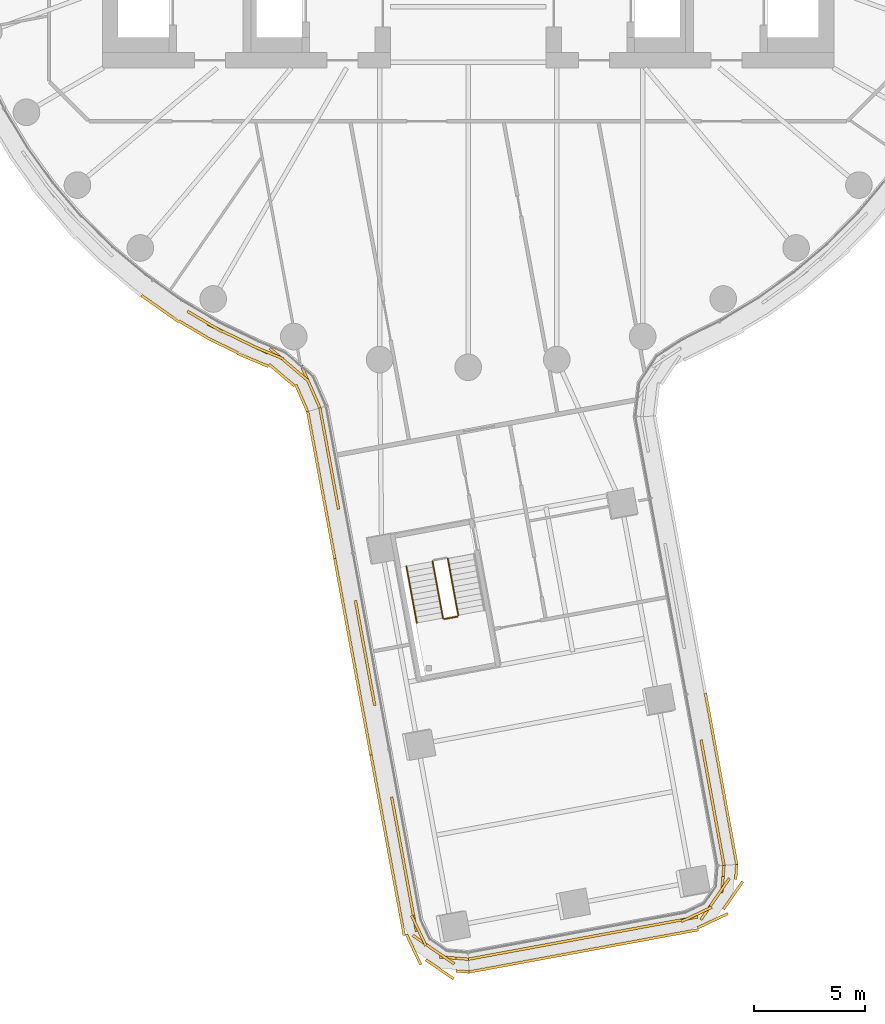
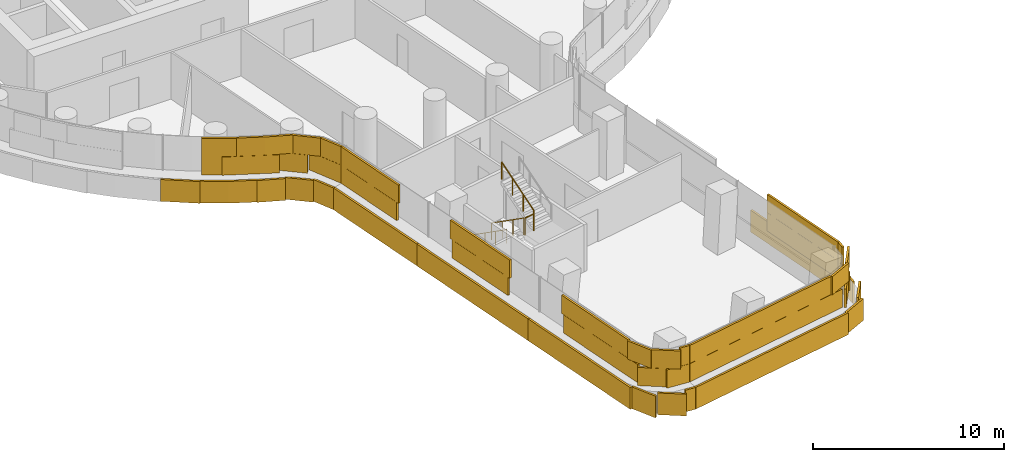
# One storey, part 26 of 33: 6 coverings, 4 railings.
"""IFC4 building model written with IfcOpenShell, lengths in metres."""

from ifc_helpers import new_model, si_unit, direction, frame, origin, origin_2d, place, context, subcontext, project, spatial, rectangle, circle, extrude, material, layer, layer_set, type_object, element, save


model = new_model("IFC4")

# Units and contexts
model_context = context("Model", 3, precision=1e-05, world=origin(), true_north=direction((0.0, 1.0)))
body_context = subcontext(model_context, "Body", "Model", "MODEL_VIEW")
ifc_project = project(units=[si_unit("LENGTHUNIT", "METRE"), si_unit("AREAUNIT", "SQUARE_METRE"), si_unit("VOLUMEUNIT", "CUBIC_METRE"), si_unit("PLANEANGLEUNIT", "RADIAN"), si_unit("MASSUNIT", "GRAM", prefix="KILO")], contexts=[model_context])

# Site, building, storey
site_placement = place(None, origin())
site = spatial("IfcSite", under=ifc_project, at=site_placement, CompositionType="ELEMENT")
building_placement = place(site_placement, origin())
building = spatial("IfcBuilding", under=site, at=building_placement, Name="Tamarind Cross Interchange Tower", CompositionType="ELEMENT")
storey_placement = place(building_placement, frame((0.0, 0.0, 71.5)))
storey = spatial("IfcBuildingStorey", under=building, at=storey_placement, Name="L16", CompositionType="ELEMENT", Elevation=71.5)

# Railings
ifc_material_1 = material(Name="Stair guard")
railing_type_1 = type_object("IfcRailingType", Name="Stair guard", PredefinedType="GUARDRAIL", material=ifc_material_1)
railing_1_placement = place(storey_placement, frame((-1.60791015625, -31.75341796875, 0.17041015625)))
element("IfcRailing", 1, at=railing_1_placement, inside=storey, type_object=railing_type_1, Name="L16 ST6 stair guard 1", PredefinedType="GUARDRAIL", context=body_context, shape_type="SweptSolid", body=[
    extrude(circle(Radius=0.02392578125, at=origin_2d()), frame((0.0, 0.0, 1.076171875), z_axis=(0.151638442794, -0.822428488544, 0.54828565903), x_axis=(0.983423678231, 0.181322555396, 0.0)), (0.0, 0.0, 1.0), 3.10888671875),
    extrude(circle(Radius=0.02099609375, at=origin_2d()), origin(), (0.0, 0.0, 1.0), 1.052001953125),
    extrude(circle(Radius=0.02099609375, at=origin_2d()), frame((0.1572265625, -0.852294921875, 0.568115234375)), (0.0, 0.0, 1.0), 1.052001953125),
    extrude(circle(Radius=0.02099609375, at=origin_2d()), frame((0.314208984375, -1.70458984375, 1.136474609375)), (0.0, 0.0, 1.0), 1.052001953125),
    extrude(circle(Radius=0.02099609375, at=origin_2d()), frame((0.471435546875, -2.556884765625, 1.70458984375)), (0.0, 0.0, 1.0), 1.052001953125),
])
railing_2_placement = place(storey_placement, frame((-1.078125, -34.350341796875, 1.875)))
element("IfcRailing", 2, at=railing_2_placement, inside=storey, type_object=railing_type_1, Name="L16 ST6 stair guard 2", PredefinedType="GUARDRAIL", context=body_context, shape_type="SweptSolid", body=[
    extrude(circle(Radius=0.02392578125, at=origin_2d()), frame((0.0, 0.0, 1.076171875), z_axis=(0.983384416229, 0.181535368228, 0.0), x_axis=(-0.181535368228, 0.983384416229, 0.0)), (0.0, 0.0, 1.0), 0.599853515625),
    extrude(circle(Radius=0.02099609375, at=origin_2d()), origin(), (0.0, 0.0, 1.0), 1.052001953125),
    extrude(circle(Radius=0.02099609375, at=origin_2d()), frame((0.58984375, 0.10888671875, 0.0)), (0.0, 0.0, 1.0), 1.052001953125),
])
railing_3_placement = place(storey_placement, frame((-0.447998046875, -34.183349609375, 2.04541015625)))
element("IfcRailing", 3, at=railing_3_placement, inside=storey, type_object=railing_type_1, Name="L16 ST6 stair guard 3", PredefinedType="GUARDRAIL", context=body_context, shape_type="SweptSolid", body=[
    extrude(circle(Radius=0.02392578125, at=origin_2d()), frame((0.0, 0.0, 1.076171875), z_axis=(-0.151715164176, 0.822418692761, 0.548279128507), x_axis=(-0.983406930214, -0.181413366674, 0.0)), (0.0, 0.0, 1.0), 3.10888671875),
    extrude(circle(Radius=0.02099609375, at=origin_2d()), origin(), (0.0, 0.0, 1.0), 1.052001953125),
    extrude(circle(Radius=0.02099609375, at=origin_2d()), frame((-0.1572265625, 0.852294921875, 0.568115234375)), (0.0, 0.0, 1.0), 1.052001953125),
    extrude(circle(Radius=0.02099609375, at=origin_2d()), frame((-0.314453125, 1.70458984375, 1.136474609375)), (0.0, 0.0, 1.0), 1.052001953125),
    extrude(circle(Radius=0.02099609375, at=origin_2d()), frame((-0.4716796875, 2.556884765625, 1.70458984375)), (0.0, 0.0, 1.0), 1.052001953125),
])
ifc_material_2 = material(Name="Stair handrail")
railing_type_2 = type_object("IfcRailingType", Name="Stair handrail", PredefinedType="HANDRAIL", material=ifc_material_2)
railing_4_placement = place(storey_placement, frame((-2.7880859375, -31.970947265625, 0.17041015625)))
element("IfcRailing", 4, at=railing_4_placement, inside=storey, type_object=railing_type_2, Name="L16 ST6 stair handrail 1", PredefinedType="HANDRAIL", context=body_context, shape_type="SweptSolid", body=[
    extrude(circle(Radius=0.02392578125, at=origin_2d()), frame((0.0, 0.0, 0.8759765625), z_axis=(0.151638442794, -0.822428488544, 0.54828565903), x_axis=(0.983423678231, 0.181322555396, 0.0)), (0.0, 0.0, 1.0), 3.10888671875),
    extrude(circle(Radius=0.02099609375, at=origin_2d()), origin(), (0.0, 0.0, 1.0), 0.851806640625),
    extrude(circle(Radius=0.02099609375, at=origin_2d()), frame((0.1572265625, -0.852294921875, 0.568115234375)), (0.0, 0.0, 1.0), 0.851806640625),
    extrude(circle(Radius=0.02099609375, at=origin_2d()), frame((0.314208984375, -1.70458984375, 1.136474609375)), (0.0, 0.0, 1.0), 0.851806640625),
    extrude(circle(Radius=0.02099609375, at=origin_2d()), frame((0.471435546875, -2.556884765625, 1.70458984375)), (0.0, 0.0, 1.0), 0.851806640625),
])

# Coverings
ifc_material_3 = material(Name="Terracotta", Category="masonry")
ifc_layer = layer(ifc_material_3, 0.1201171875)
ifc_layer_set = layer_set([ifc_layer], Name="Terracotta")
covering_type = type_object("IfcCoveringType", Name="Terracotta baguette screen unit", PredefinedType="MOLDING", material=ifc_layer_set)
covering_1_placement = place(storey_placement, origin())
element("IfcCovering", 5, at=covering_1_placement, inside=storey, type_object=covering_type, Name="SCR-L16-02-01", PredefinedType="MOLDING", context=body_context, shape_type="SweptSolid", body=[
    extrude(rectangle(XDim=1.078125, YDim=0.1201171875, at=origin_2d()), frame((-12.1962890625, -20.74609375, 1.404052734375), z_axis=(0.0, 0.0, 1.0), x_axis=(0.861248933065, -0.508183308752, 0.0)), (0.0, 0.0, 1.0), 1.1669921875),
    extrude(rectangle(XDim=1.52001953125, YDim=0.1201171875, at=origin_2d()), frame((-11.07763671875, -21.374755859375, 1.404052734375), z_axis=(0.0, 0.0, 1.0), x_axis=(0.900272776334, -0.435326231914, 0.0)), (0.0, 0.0, 1.0), 1.1669921875),
    extrude(rectangle(XDim=1.52001953125, YDim=0.1201171875, at=origin_2d()), frame((-9.72705078125, -22.02783203125, 1.404052734375), z_axis=(0.0, 0.0, 1.0), x_axis=(0.900272776334, -0.435326231914, 0.0)), (0.0, 0.0, 1.0), 1.1669921875),
    extrude(rectangle(XDim=1.52001953125, YDim=0.1201171875, at=origin_2d()), frame((-8.361572265625, -22.638671875, 1.404052734375), z_axis=(0.0, 0.0, 1.0), x_axis=(0.762599582374, -0.646870834837, 0.0)), (0.0, 0.0, 1.0), 1.1669921875),
    extrude(rectangle(XDim=1.52001953125, YDim=0.1201171875, at=origin_2d()), frame((-7.22216796875, -23.612548828125, 1.404052734375), z_axis=(0.0, 0.0, 1.0), x_axis=(0.401557003304, -0.915834031415, 0.0)), (0.0, 0.0, 1.0), 1.1669921875),
    extrude(rectangle(XDim=0.59228515625, YDim=0.1201171875, at=origin_2d()), frame((-6.80419921875, -24.56591796875, 1.404052734375), z_axis=(0.0, 0.0, 1.0), x_axis=(0.401557003304, -0.915834031415, 0.0)), (0.0, 0.0, 1.0), 1.1669921875),
    extrude(rectangle(XDim=0.328125, YDim=0.1201171875, at=origin_2d()), frame((-12.519287109375, -20.555419921875, 2.5791015625), z_axis=(0.0, 0.0, 1.0), x_axis=(0.861248933065, -0.508183308752, 0.0)), (0.0, 0.0, 1.0), 1.1669921875),
    extrude(rectangle(XDim=1.52001953125, YDim=0.1201171875, at=origin_2d()), frame((-11.736328125, -21.017578125, 2.5791015625), z_axis=(0.0, 0.0, 1.0), x_axis=(0.861248933065, -0.508183308752, 0.0)), (0.0, 0.0, 1.0), 1.1669921875),
    extrude(rectangle(XDim=1.52001953125, YDim=0.1201171875, at=origin_2d()), frame((-10.40234375, -21.701171875, 2.5791015625), z_axis=(0.0, 0.0, 1.0), x_axis=(0.900272776334, -0.435326231914, 0.0)), (0.0, 0.0, 1.0), 1.1669921875),
    extrude(rectangle(XDim=1.52001953125, YDim=0.1201171875, at=origin_2d()), frame((-9.0390625, -22.32568359375, 2.5791015625), z_axis=(0.0, 0.0, 1.0), x_axis=(0.922083651498, -0.386990619576, 0.0)), (0.0, 0.0, 1.0), 1.1669921875),
    extrude(rectangle(XDim=1.52001953125, YDim=0.1201171875, at=origin_2d()), frame((-7.78955078125, -23.123779296875, 2.5791015625), z_axis=(0.0, 0.0, 1.0), x_axis=(0.762599582374, -0.646870834837, 0.0)), (0.0, 0.0, 1.0), 1.1669921875),
    extrude(rectangle(XDim=1.34228515625, YDim=0.1201171875, at=origin_2d()), frame((-6.95458984375, -24.222412109375, 2.5791015625), z_axis=(0.0, 0.0, 1.0), x_axis=(0.401557003304, -0.915834031415, 0.0)), (0.0, 0.0, 1.0), 1.1669921875),
    extrude(rectangle(XDim=0.57275390625, YDim=0.1201171875, at=origin_2d()), frame((-14.50244140625, -19.922119140625, 0.00390625), z_axis=(0.0, 0.0, 1.0), x_axis=(0.816341886298, -0.577568978284, 0.0)), (0.0, 0.0, 1.0), 1.39208984375),
    extrude(rectangle(XDim=1.52001953125, YDim=0.1201171875, at=origin_2d()), frame((-13.66455078125, -20.514892578125, 0.00390625), z_axis=(0.0, 0.0, 1.0), x_axis=(0.816341886298, -0.577568978284, 0.0)), (0.0, 0.0, 1.0), 1.39208984375),
    extrude(rectangle(XDim=1.52001953125, YDim=0.1201171875, at=origin_2d()), frame((-12.38720703125, -21.2998046875, 0.00390625), z_axis=(0.0, 0.0, 1.0), x_axis=(0.861248933065, -0.508183308752, 0.0)), (0.0, 0.0, 1.0), 1.39208984375),
    extrude(rectangle(XDim=1.52001953125, YDim=0.1201171875, at=origin_2d()), frame((-11.070556640625, -22.015625, 0.00390625), z_axis=(0.0, 0.0, 1.0), x_axis=(0.900272776334, -0.435326231914, 0.0)), (0.0, 0.0, 1.0), 1.39208984375),
    extrude(rectangle(XDim=1.52001953125, YDim=0.1201171875, at=origin_2d()), frame((-9.7177734375, -22.66357421875, 0.00390625), z_axis=(0.0, 0.0, 1.0), x_axis=(0.922083651498, -0.386990619576, 0.0)), (0.0, 0.0, 1.0), 1.39208984375),
    extrude(rectangle(XDim=1.52001953125, YDim=0.1201171875, at=origin_2d()), frame((-8.4033203125, -23.35595703125, 0.00390625), z_axis=(0.0, 0.0, 1.0), x_axis=(0.762599582374, -0.646870834837, 0.0)), (0.0, 0.0, 1.0), 1.39208984375),
    extrude(rectangle(XDim=1.32861328125, YDim=0.1201171875, at=origin_2d()), frame((-7.50634765625, -24.393798828125, 0.00390625), z_axis=(0.0, 0.0, 1.0), x_axis=(0.401557003304, -0.915834031415, 0.0)), (0.0, 0.0, 1.0), 1.39208984375),
])
covering_2_placement = place(storey_placement, origin())
element("IfcCovering", 6, at=covering_2_placement, inside=storey, type_object=covering_type, Name="SCR-L16-03-00", PredefinedType="MOLDING", context=body_context, shape_type="SweptSolid", body=[
    extrude(rectangle(XDim=1.510009765625, YDim=0.1201171875, at=origin_2d()), frame((-6.55126953125, -25.570068359375, 1.404052734375), z_axis=(0.0, 0.0, 1.0), x_axis=(0.181343076715, -0.983419894311, 0.0)), (0.0, 0.0, 1.0), 1.1669921875),
    extrude(rectangle(XDim=1.52001953125, YDim=0.1201171875, at=origin_2d()), frame((-6.279296875, -27.045166015625, 1.404052734375), z_axis=(0.0, 0.0, 1.0), x_axis=(0.181343076715, -0.983419894311, 0.0)), (0.0, 0.0, 1.0), 1.1669921875),
    extrude(rectangle(XDim=1.52001953125, YDim=0.1201171875, at=origin_2d()), frame((-6.007080078125, -28.5205078125, 1.404052734375), z_axis=(0.0, 0.0, 1.0), x_axis=(0.181343076715, -0.983419894311, 0.0)), (0.0, 0.0, 1.0), 1.1669921875),
    extrude(rectangle(XDim=0.760009765625, YDim=0.1201171875, at=origin_2d()), frame((-6.619140625, -25.201416015625, 2.5791015625), z_axis=(0.0, 0.0, 1.0), x_axis=(0.181343076715, -0.983419894311, 0.0)), (0.0, 0.0, 1.0), 1.1669921875),
    extrude(rectangle(XDim=1.52001953125, YDim=0.1201171875, at=origin_2d()), frame((-6.415283203125, -26.3076171875, 2.5791015625), z_axis=(0.0, 0.0, 1.0), x_axis=(0.181343076715, -0.983419894311, 0.0)), (0.0, 0.0, 1.0), 1.1669921875),
    extrude(rectangle(XDim=1.52001953125, YDim=0.1201171875, at=origin_2d()), frame((-6.14306640625, -27.782958984375, 2.5791015625), z_axis=(0.0, 0.0, 1.0), x_axis=(0.181343076715, -0.983419894311, 0.0)), (0.0, 0.0, 1.0), 1.1669921875),
    extrude(rectangle(XDim=0.89794921875, YDim=0.1201171875, at=origin_2d()), frame((-5.9267578125, -28.95703125, 2.5791015625), z_axis=(0.0, 0.0, 1.0), x_axis=(0.181343076715, -0.983419894311, 0.0)), (0.0, 0.0, 1.0), 1.1669921875),
    extrude(rectangle(XDim=1.510009765625, YDim=0.1201171875, at=origin_2d()), frame((-7.102783203125, -25.74462890625, 0.00390625), z_axis=(0.0, 0.0, 1.0), x_axis=(0.181343076715, -0.983419894311, 0.0)), (0.0, 0.0, 1.0), 1.39208984375),
    extrude(rectangle(XDim=1.52001953125, YDim=0.1201171875, at=origin_2d()), frame((-6.83154296875, -27.21484375, 0.00390625), z_axis=(0.0, 0.0, 1.0), x_axis=(0.181343076715, -0.983419894311, 0.0)), (0.0, 0.0, 1.0), 1.39208984375),
    extrude(rectangle(XDim=1.52001953125, YDim=0.1201171875, at=origin_2d()), frame((-6.5595703125, -28.68994140625, 0.00390625), z_axis=(0.0, 0.0, 1.0), x_axis=(0.181343076715, -0.983419894311, 0.0)), (0.0, 0.0, 1.0), 1.39208984375),
    extrude(rectangle(XDim=1.52001953125, YDim=0.1201171875, at=origin_2d()), frame((-6.28759765625, -30.1650390625, 0.00390625), z_axis=(0.0, 0.0, 1.0), x_axis=(0.181343076715, -0.983419894311, 0.0)), (0.0, 0.0, 1.0), 1.39208984375),
    extrude(rectangle(XDim=0.75048828125, YDim=0.1201171875, at=origin_2d()), frame((-6.08544921875, -31.26171875, 0.00390625), z_axis=(0.0, 0.0, 1.0), x_axis=(0.181343076715, -0.983419894311, 0.0)), (0.0, 0.0, 1.0), 1.39208984375),
])
covering_3_placement = place(storey_placement, origin())
element("IfcCovering", 7, at=covering_3_placement, inside=storey, type_object=covering_type, Name="SCR-L16-03-01", PredefinedType="MOLDING", context=body_context, shape_type="SweptSolid", body=[
    extrude(rectangle(XDim=1.52001953125, YDim=0.1201171875, at=origin_2d()), frame((-4.919189453125, -34.4208984375, 1.404052734375), z_axis=(0.0, 0.0, 1.0), x_axis=(0.181343076715, -0.983419894311, 0.0)), (0.0, 0.0, 1.0), 1.1669921875),
    extrude(rectangle(XDim=1.52001953125, YDim=0.1201171875, at=origin_2d()), frame((-4.647216796875, -35.89599609375, 1.404052734375), z_axis=(0.0, 0.0, 1.0), x_axis=(0.181343076715, -0.983419894311, 0.0)), (0.0, 0.0, 1.0), 1.1669921875),
    extrude(rectangle(XDim=1.52001953125, YDim=0.1201171875, at=origin_2d()), frame((-4.375, -37.37109375, 1.404052734375), z_axis=(0.0, 0.0, 1.0), x_axis=(0.181343076715, -0.983419894311, 0.0)), (0.0, 0.0, 1.0), 1.1669921875),
    extrude(rectangle(XDim=0.922119140625, YDim=0.1201171875, at=origin_2d()), frame((-5.001708984375, -33.972412109375, 2.5791015625), z_axis=(0.0, 0.0, 1.0), x_axis=(0.181343076715, -0.983419894311, 0.0)), (0.0, 0.0, 1.0), 1.1669921875),
    extrude(rectangle(XDim=1.52001953125, YDim=0.1201171875, at=origin_2d()), frame((-4.783203125, -35.158447265625, 2.5791015625), z_axis=(0.0, 0.0, 1.0), x_axis=(0.181343076715, -0.983419894311, 0.0)), (0.0, 0.0, 1.0), 1.1669921875),
    extrude(rectangle(XDim=1.52001953125, YDim=0.1201171875, at=origin_2d()), frame((-4.510986328125, -36.633544921875, 2.5791015625), z_axis=(0.0, 0.0, 1.0), x_axis=(0.181343076715, -0.983419894311, 0.0)), (0.0, 0.0, 1.0), 1.1669921875),
    extrude(rectangle(XDim=0.8984375, YDim=0.1201171875, at=origin_2d()), frame((-4.29443359375, -37.80810546875, 2.5791015625), z_axis=(0.0, 0.0, 1.0), x_axis=(0.181343076715, -0.983419894311, 0.0)), (0.0, 0.0, 1.0), 1.1669921875),
    extrude(rectangle(XDim=0.76953125, YDim=0.1201171875, at=origin_2d()), frame((-5.947509765625, -32.00927734375, 0.00390625), z_axis=(0.0, 0.0, 1.0), x_axis=(0.181343076715, -0.983419894311, 0.0)), (0.0, 0.0, 1.0), 1.39208984375),
    extrude(rectangle(XDim=1.52001953125, YDim=0.1201171875, at=origin_2d()), frame((-5.74365234375, -33.115234375, 0.00390625), z_axis=(0.0, 0.0, 1.0), x_axis=(0.181343076715, -0.983419894311, 0.0)), (0.0, 0.0, 1.0), 1.39208984375),
    extrude(rectangle(XDim=1.52001953125, YDim=0.1201171875, at=origin_2d()), frame((-5.471435546875, -34.590576171875, 0.00390625), z_axis=(0.0, 0.0, 1.0), x_axis=(0.181343076715, -0.983419894311, 0.0)), (0.0, 0.0, 1.0), 1.39208984375),
    extrude(rectangle(XDim=1.52001953125, YDim=0.1201171875, at=origin_2d()), frame((-5.199462890625, -36.065673828125, 0.00390625), z_axis=(0.0, 0.0, 1.0), x_axis=(0.181343076715, -0.983419894311, 0.0)), (0.0, 0.0, 1.0), 1.39208984375),
    extrude(rectangle(XDim=1.52001953125, YDim=0.1201171875, at=origin_2d()), frame((-4.927490234375, -37.540771484375, 0.00390625), z_axis=(0.0, 0.0, 1.0), x_axis=(0.181343076715, -0.983419894311, 0.0)), (0.0, 0.0, 1.0), 1.39208984375),
    extrude(rectangle(XDim=1.52001953125, YDim=0.1201171875, at=origin_2d()), frame((-4.655517578125, -39.015869140625, 0.00390625), z_axis=(0.0, 0.0, 1.0), x_axis=(0.181343076715, -0.983419894311, 0.0)), (0.0, 0.0, 1.0), 1.39208984375),
    extrude(rectangle(XDim=0.75439453125, YDim=0.1201171875, at=origin_2d()), frame((-4.452880859375, -40.114501953125, 0.00390625), z_axis=(0.0, 0.0, 1.0), x_axis=(0.181343076715, -0.983419894311, 0.0)), (0.0, 0.0, 1.0), 1.39208984375),
])
covering_4_placement = place(storey_placement, origin())
element("IfcCovering", 8, at=covering_4_placement, inside=storey, type_object=covering_type, Name="SCR-L16-03-02", PredefinedType="MOLDING", context=body_context, shape_type="SweptSolid", body=[
    extrude(rectangle(XDim=1.52001953125, YDim=0.1201171875, at=origin_2d()), frame((-3.287109375, -43.271728515625, 1.404052734375), z_axis=(0.0, 0.0, 1.0), x_axis=(0.181343076715, -0.983419894311, 0.0)), (0.0, 0.0, 1.0), 1.1669921875),
    extrude(rectangle(XDim=1.52001953125, YDim=0.1201171875, at=origin_2d()), frame((-3.014892578125, -44.746826171875, 1.404052734375), z_axis=(0.0, 0.0, 1.0), x_axis=(0.181343076715, -0.983419894311, 0.0)), (0.0, 0.0, 1.0), 1.1669921875),
    extrude(rectangle(XDim=1.52001953125, YDim=0.1201171875, at=origin_2d()), frame((-2.742919921875, -46.221923828125, 1.404052734375), z_axis=(0.0, 0.0, 1.0), x_axis=(0.181343076715, -0.983419894311, 0.0)), (0.0, 0.0, 1.0), 1.1669921875),
    extrude(rectangle(XDim=1.52001953125, YDim=0.1201171875, at=origin_2d()), frame((-2.470947265625, -47.697021484375, 1.404052734375), z_axis=(0.0, 0.0, 1.0), x_axis=(0.181343076715, -0.983419894311, 0.0)), (0.0, 0.0, 1.0), 1.1669921875),
    extrude(rectangle(XDim=1.52001953125, YDim=0.1201171875, at=origin_2d()), frame((-1.8701171875, -49.04541015625, 1.404052734375), z_axis=(0.0, 0.0, 1.0), x_axis=(0.823611795288, -0.567153956755, 0.0)), (0.0, 0.0, 1.0), 1.1669921875),
    extrude(rectangle(XDim=1.31689453125, YDim=0.1201171875, at=origin_2d()), frame((-0.641845703125, -49.6376953125, 1.404052734375), z_axis=(0.0, 0.0, 1.0), x_axis=(0.996845715953, -0.079363836763, 0.0)), (0.0, 0.0, 1.0), 1.1669921875),
    extrude(rectangle(XDim=0.921630859375, YDim=0.1201171875, at=origin_2d()), frame((-3.36962890625, -42.823486328125, 2.5791015625), z_axis=(0.0, 0.0, 1.0), x_axis=(0.181343076715, -0.983419894311, 0.0)), (0.0, 0.0, 1.0), 1.1669921875),
    extrude(rectangle(XDim=1.52001953125, YDim=0.1201171875, at=origin_2d()), frame((-3.151123046875, -44.00927734375, 2.5791015625), z_axis=(0.0, 0.0, 1.0), x_axis=(0.181343076715, -0.983419894311, 0.0)), (0.0, 0.0, 1.0), 1.1669921875),
    extrude(rectangle(XDim=1.52001953125, YDim=0.1201171875, at=origin_2d()), frame((-2.87890625, -45.484375, 2.5791015625), z_axis=(0.0, 0.0, 1.0), x_axis=(0.181343076715, -0.983419894311, 0.0)), (0.0, 0.0, 1.0), 1.1669921875),
    extrude(rectangle(XDim=1.52001953125, YDim=0.1201171875, at=origin_2d()), frame((-2.60693359375, -46.95947265625, 2.5791015625), z_axis=(0.0, 0.0, 1.0), x_axis=(0.181343076715, -0.983419894311, 0.0)), (0.0, 0.0, 1.0), 1.1669921875),
    extrude(rectangle(XDim=1.52001953125, YDim=0.1201171875, at=origin_2d()), frame((-2.23095703125, -48.40087890625, 2.5791015625), z_axis=(0.0, 0.0, 1.0), x_axis=(0.429691759198, -0.902975632051, 0.0)), (0.0, 0.0, 1.0), 1.1669921875),
    extrude(rectangle(XDim=1.52001953125, YDim=0.1201171875, at=origin_2d()), frame((-1.25244140625, -49.470703125, 2.5791015625), z_axis=(0.0, 0.0, 1.0), x_axis=(0.823611795288, -0.567153956755, 0.0)), (0.0, 0.0, 1.0), 1.1669921875),
    extrude(rectangle(XDim=0.56689453125, YDim=0.1201171875, at=origin_2d()), frame((-0.26806640625, -49.66748046875, 2.5791015625), z_axis=(0.0, 0.0, 1.0), x_axis=(0.996845715953, -0.079363836763, 0.0)), (0.0, 0.0, 1.0), 1.1669921875),
    extrude(rectangle(XDim=0.765625, YDim=0.1201171875, at=origin_2d()), frame((-4.31494140625, -40.862060546875, 0.00390625), z_axis=(0.0, 0.0, 1.0), x_axis=(0.181343076715, -0.983419894311, 0.0)), (0.0, 0.0, 1.0), 1.39208984375),
    extrude(rectangle(XDim=1.52001953125, YDim=0.1201171875, at=origin_2d()), frame((-4.111572265625, -41.966064453125, 0.00390625), z_axis=(0.0, 0.0, 1.0), x_axis=(0.181343076715, -0.983419894311, 0.0)), (0.0, 0.0, 1.0), 1.39208984375),
    extrude(rectangle(XDim=1.52001953125, YDim=0.1201171875, at=origin_2d()), frame((-3.83935546875, -43.441162109375, 0.00390625), z_axis=(0.0, 0.0, 1.0), x_axis=(0.181343076715, -0.983419894311, 0.0)), (0.0, 0.0, 1.0), 1.39208984375),
    extrude(rectangle(XDim=1.52001953125, YDim=0.1201171875, at=origin_2d()), frame((-3.5673828125, -44.916259765625, 0.00390625), z_axis=(0.0, 0.0, 1.0), x_axis=(0.181343076715, -0.983419894311, 0.0)), (0.0, 0.0, 1.0), 1.39208984375),
    extrude(rectangle(XDim=1.52001953125, YDim=0.1201171875, at=origin_2d()), frame((-3.29541015625, -46.3916015625, 0.00390625), z_axis=(0.0, 0.0, 1.0), x_axis=(0.181343076715, -0.983419894311, 0.0)), (0.0, 0.0, 1.0), 1.39208984375),
    extrude(rectangle(XDim=1.52001953125, YDim=0.1201171875, at=origin_2d()), frame((-3.0234375, -47.86669921875, 0.00390625), z_axis=(0.0, 0.0, 1.0), x_axis=(0.181343076715, -0.983419894311, 0.0)), (0.0, 0.0, 1.0), 1.39208984375),
    extrude(rectangle(XDim=1.52001953125, YDim=0.1201171875, at=origin_2d()), frame((-2.46337890625, -49.24853515625, 0.00390625), z_axis=(0.0, 0.0, 1.0), x_axis=(0.429691759198, -0.902975632051, 0.0)), (0.0, 0.0, 1.0), 1.39208984375),
    extrude(rectangle(XDim=1.52001953125, YDim=0.1201171875, at=origin_2d()), frame((-1.283203125, -50.146484375, 0.00390625), z_axis=(0.0, 0.0, 1.0), x_axis=(0.823611795288, -0.567153956755, 0.0)), (0.0, 0.0, 1.0), 1.39208984375),
    extrude(rectangle(XDim=0.59228515625, YDim=0.1201171875, at=origin_2d()), frame((-0.255859375, -50.244140625, 0.00390625), z_axis=(0.0, 0.0, 1.0), x_axis=(0.996845715953, -0.079363836763, 0.0)), (0.0, 0.0, 1.0), 1.39208984375),
])
covering_5_placement = place(storey_placement, origin())
element("IfcCovering", 9, at=covering_5_placement, inside=storey, type_object=covering_type, Name="SCR-L16-04-00", PredefinedType="MOLDING", context=body_context, shape_type="SweptSolid", body=[
    extrude(rectangle(XDim=1.510009765625, YDim=0.1201171875, at=origin_2d()), frame((0.7470703125, -49.553466796875, 1.404052734375), z_axis=(0.0, 0.0, 1.0), x_axis=(0.983419894311, 0.181343076715, 0.0)), (0.0, 0.0, 1.0), 1.1669921875),
    extrude(rectangle(XDim=1.52001953125, YDim=0.1201171875, at=origin_2d()), frame((2.222412109375, -49.281494140625, 1.404052734375), z_axis=(0.0, 0.0, 1.0), x_axis=(0.983419894311, 0.181343076715, 0.0)), (0.0, 0.0, 1.0), 1.1669921875),
    extrude(rectangle(XDim=1.52001953125, YDim=0.1201171875, at=origin_2d()), frame((3.697509765625, -49.009521484375, 1.404052734375), z_axis=(0.0, 0.0, 1.0), x_axis=(0.983419894311, 0.181343076715, 0.0)), (0.0, 0.0, 1.0), 1.1669921875),
    extrude(rectangle(XDim=1.52001953125, YDim=0.1201171875, at=origin_2d()), frame((5.172607421875, -48.7373046875, 1.404052734375), z_axis=(0.0, 0.0, 1.0), x_axis=(0.983419894311, 0.181343076715, 0.0)), (0.0, 0.0, 1.0), 1.1669921875),
    extrude(rectangle(XDim=1.52001953125, YDim=0.1201171875, at=origin_2d()), frame((6.647705078125, -48.46533203125, 1.404052734375), z_axis=(0.0, 0.0, 1.0), x_axis=(0.983419894311, 0.181343076715, 0.0)), (0.0, 0.0, 1.0), 1.1669921875),
    extrude(rectangle(XDim=1.52001953125, YDim=0.1201171875, at=origin_2d()), frame((8.122802734375, -48.193359375, 1.404052734375), z_axis=(0.0, 0.0, 1.0), x_axis=(0.983419894311, 0.181343076715, 0.0)), (0.0, 0.0, 1.0), 1.1669921875),
    extrude(rectangle(XDim=1.52001953125, YDim=0.1201171875, at=origin_2d()), frame((9.597900390625, -47.92138671875, 1.404052734375), z_axis=(0.0, 0.0, 1.0), x_axis=(0.983419894311, 0.181343076715, 0.0)), (0.0, 0.0, 1.0), 1.1669921875),
    extrude(rectangle(XDim=1.52001953125, YDim=0.1201171875, at=origin_2d()), frame((10.92236328125, -47.28369140625, 1.404052734375), z_axis=(0.0, 0.0, 1.0), x_axis=(0.567153956755, 0.823611795288, 0.0)), (0.0, 0.0, 1.0), 1.1669921875),
    extrude(rectangle(XDim=1.259521484375, YDim=0.1201171875, at=origin_2d()), frame((11.484375, -46.073974609375, 1.404052734375), z_axis=(0.0, 0.0, 1.0), x_axis=(0.079363836763, 0.996845715953, 0.0)), (0.0, 0.0, 1.0), 1.1669921875),
    extrude(rectangle(XDim=0.760009765625, YDim=0.1201171875, at=origin_2d()), frame((0.37841796875, -49.62158203125, 2.5791015625), z_axis=(0.0, 0.0, 1.0), x_axis=(0.983419894311, 0.181343076715, 0.0)), (0.0, 0.0, 1.0), 1.1669921875),
    extrude(rectangle(XDim=1.52001953125, YDim=0.1201171875, at=origin_2d()), frame((1.484619140625, -49.41748046875, 2.5791015625), z_axis=(0.0, 0.0, 1.0), x_axis=(0.983419894311, 0.181343076715, 0.0)), (0.0, 0.0, 1.0), 1.1669921875),
    extrude(rectangle(XDim=1.52001953125, YDim=0.1201171875, at=origin_2d()), frame((2.9599609375, -49.1455078125, 2.5791015625), z_axis=(0.0, 0.0, 1.0), x_axis=(0.983419894311, 0.181343076715, 0.0)), (0.0, 0.0, 1.0), 1.1669921875),
    extrude(rectangle(XDim=1.52001953125, YDim=0.1201171875, at=origin_2d()), frame((4.43505859375, -48.87353515625, 2.5791015625), z_axis=(0.0, 0.0, 1.0), x_axis=(0.983419894311, 0.181343076715, 0.0)), (0.0, 0.0, 1.0), 1.1669921875),
    extrude(rectangle(XDim=1.52001953125, YDim=0.1201171875, at=origin_2d()), frame((5.91015625, -48.601318359375, 2.5791015625), z_axis=(0.0, 0.0, 1.0), x_axis=(0.983419894311, 0.181343076715, 0.0)), (0.0, 0.0, 1.0), 1.1669921875),
    extrude(rectangle(XDim=1.52001953125, YDim=0.1201171875, at=origin_2d()), frame((7.38525390625, -48.329345703125, 2.5791015625), z_axis=(0.0, 0.0, 1.0), x_axis=(0.983419894311, 0.181343076715, 0.0)), (0.0, 0.0, 1.0), 1.1669921875),
    extrude(rectangle(XDim=1.52001953125, YDim=0.1201171875, at=origin_2d()), frame((8.8603515625, -48.057373046875, 2.5791015625), z_axis=(0.0, 0.0, 1.0), x_axis=(0.983419894311, 0.181343076715, 0.0)), (0.0, 0.0, 1.0), 1.1669921875),
    extrude(rectangle(XDim=1.52001953125, YDim=0.1201171875, at=origin_2d()), frame((10.297119140625, -47.6669921875, 2.5791015625), z_axis=(0.0, 0.0, 1.0), x_axis=(0.902975632051, 0.429691759198, 0.0)), (0.0, 0.0, 1.0), 1.1669921875),
    extrude(rectangle(XDim=1.52001953125, YDim=0.1201171875, at=origin_2d()), frame((11.34765625, -46.666015625, 2.5791015625), z_axis=(0.0, 0.0, 1.0), x_axis=(0.567153956755, 0.823611795288, 0.0)), (0.0, 0.0, 1.0), 1.1669921875),
    extrude(rectangle(XDim=0.509521484375, YDim=0.1201171875, at=origin_2d()), frame((11.51416015625, -45.7001953125, 2.5791015625), z_axis=(0.0, 0.0, 1.0), x_axis=(0.079363836763, 0.996845715953, 0.0)), (0.0, 0.0, 1.0), 1.1669921875),
    extrude(rectangle(XDim=1.510009765625, YDim=0.1201171875, at=origin_2d()), frame((0.781982421875, -50.130859375, 0.00390625), z_axis=(0.0, 0.0, 1.0), x_axis=(0.983419894311, 0.181343076715, 0.0)), (0.0, 0.0, 1.0), 1.39208984375),
    extrude(rectangle(XDim=1.52001953125, YDim=0.1201171875, at=origin_2d()), frame((2.251953125, -49.859619140625, 0.00390625), z_axis=(0.0, 0.0, 1.0), x_axis=(0.983419894311, 0.181343076715, 0.0)), (0.0, 0.0, 1.0), 1.39208984375),
    extrude(rectangle(XDim=1.52001953125, YDim=0.1201171875, at=origin_2d()), frame((3.727294921875, -49.587646484375, 0.00390625), z_axis=(0.0, 0.0, 1.0), x_axis=(0.983419894311, 0.181343076715, 0.0)), (0.0, 0.0, 1.0), 1.39208984375),
    extrude(rectangle(XDim=1.52001953125, YDim=0.1201171875, at=origin_2d()), frame((5.202392578125, -49.315673828125, 0.00390625), z_axis=(0.0, 0.0, 1.0), x_axis=(0.983419894311, 0.181343076715, 0.0)), (0.0, 0.0, 1.0), 1.39208984375),
    extrude(rectangle(XDim=1.52001953125, YDim=0.1201171875, at=origin_2d()), frame((6.677490234375, -49.043701171875, 0.00390625), z_axis=(0.0, 0.0, 1.0), x_axis=(0.983419894311, 0.181343076715, 0.0)), (0.0, 0.0, 1.0), 1.39208984375),
    extrude(rectangle(XDim=1.52001953125, YDim=0.1201171875, at=origin_2d()), frame((8.152587890625, -48.771484375, 0.00390625), z_axis=(0.0, 0.0, 1.0), x_axis=(0.983419894311, 0.181343076715, 0.0)), (0.0, 0.0, 1.0), 1.39208984375),
    extrude(rectangle(XDim=1.52001953125, YDim=0.1201171875, at=origin_2d()), frame((9.627685546875, -48.49951171875, 0.00390625), z_axis=(0.0, 0.0, 1.0), x_axis=(0.983419894311, 0.181343076715, 0.0)), (0.0, 0.0, 1.0), 1.39208984375),
    extrude(rectangle(XDim=1.52001953125, YDim=0.1201171875, at=origin_2d()), frame((11.016357421875, -47.96044921875, 0.00390625), z_axis=(0.0, 0.0, 1.0), x_axis=(0.902975632051, 0.429691759198, 0.0)), (0.0, 0.0, 1.0), 1.39208984375),
    extrude(rectangle(XDim=1.52001953125, YDim=0.1201171875, at=origin_2d()), frame((11.94287109375, -46.81396484375, 0.00390625), z_axis=(0.0, 0.0, 1.0), x_axis=(0.567153956755, 0.823611795288, 0.0)), (0.0, 0.0, 1.0), 1.39208984375),
    extrude(rectangle(XDim=0.6767578125, YDim=0.1201171875, at=origin_2d()), frame((12.085205078125, -45.759033203125, 0.00390625), z_axis=(0.0, 0.0, 1.0), x_axis=(0.079363836763, 0.996845715953, 0.0)), (0.0, 0.0, 1.0), 1.39208984375),
])
covering_6_placement = place(storey_placement, origin())
element("IfcCovering", 10, at=covering_6_placement, inside=storey, type_object=covering_type, Name="SCR-L16-05-00", PredefinedType="MOLDING", context=body_context, shape_type="SweptSolid", body=[
    extrude(rectangle(XDim=1.510009765625, YDim=0.1201171875, at=origin_2d()), frame((11.39892578125, -44.713623046875, 1.404052734375), z_axis=(0.0, 0.0, 1.0), x_axis=(-0.180086190758, 0.98365083434, 0.0)), (0.0, 0.0, 1.0), 1.1669921875),
    extrude(rectangle(XDim=1.52001953125, YDim=0.1201171875, at=origin_2d()), frame((11.128662109375, -43.238037109375, 1.404052734375), z_axis=(0.0, 0.0, 1.0), x_axis=(-0.180086190758, 0.98365083434, 0.0)), (0.0, 0.0, 1.0), 1.1669921875),
    extrude(rectangle(XDim=1.52001953125, YDim=0.1201171875, at=origin_2d()), frame((10.858642578125, -41.762451171875, 1.404052734375), z_axis=(0.0, 0.0, 1.0), x_axis=(-0.180086190758, 0.98365083434, 0.0)), (0.0, 0.0, 1.0), 1.1669921875),
    extrude(rectangle(XDim=1.25146484375, YDim=0.1201171875, at=origin_2d()), frame((10.61181640625, -40.414306640625, 1.404052734375), z_axis=(0.0, 0.0, 1.0), x_axis=(-0.180086190758, 0.98365083434, 0.0)), (0.0, 0.0, 1.0), 1.1669921875),
    extrude(rectangle(XDim=0.760009765625, YDim=0.1201171875, at=origin_2d()), frame((11.46630859375, -45.082275390625, 2.5791015625), z_axis=(0.0, 0.0, 1.0), x_axis=(-0.180086190758, 0.98365083434, 0.0)), (0.0, 0.0, 1.0), 1.1669921875),
    extrude(rectangle(XDim=1.52001953125, YDim=0.1201171875, at=origin_2d()), frame((11.263916015625, -43.975830078125, 2.5791015625), z_axis=(0.0, 0.0, 1.0), x_axis=(-0.180086190758, 0.98365083434, 0.0)), (0.0, 0.0, 1.0), 1.1669921875),
    extrude(rectangle(XDim=1.52001953125, YDim=0.1201171875, at=origin_2d()), frame((10.99365234375, -42.500244140625, 2.5791015625), z_axis=(0.0, 0.0, 1.0), x_axis=(-0.180086190758, 0.98365083434, 0.0)), (0.0, 0.0, 1.0), 1.1669921875),
    extrude(rectangle(XDim=1.52001953125, YDim=0.1201171875, at=origin_2d()), frame((10.7236328125, -41.02490234375, 2.5791015625), z_axis=(0.0, 0.0, 1.0), x_axis=(-0.180086190758, 0.98365083434, 0.0)), (0.0, 0.0, 1.0), 1.1669921875),
    extrude(rectangle(XDim=0.50146484375, YDim=0.1201171875, at=origin_2d()), frame((10.544189453125, -40.04541015625, 2.5791015625), z_axis=(0.0, 0.0, 1.0), x_axis=(-0.180086190758, 0.98365083434, 0.0)), (0.0, 0.0, 1.0), 1.1669921875),
    extrude(rectangle(XDim=1.510009765625, YDim=0.1201171875, at=origin_2d()), frame((11.97607421875, -44.67919921875, 0.00390625), z_axis=(0.0, 0.0, 1.0), x_axis=(-0.180086190758, 0.98365083434, 0.0)), (0.0, 0.0, 1.0), 1.39208984375),
    extrude(rectangle(XDim=1.52001953125, YDim=0.1201171875, at=origin_2d()), frame((11.706787109375, -43.208740234375, 0.00390625), z_axis=(0.0, 0.0, 1.0), x_axis=(-0.180086190758, 0.98365083434, 0.0)), (0.0, 0.0, 1.0), 1.39208984375),
    extrude(rectangle(XDim=1.52001953125, YDim=0.1201171875, at=origin_2d()), frame((11.436767578125, -41.733154296875, 0.00390625), z_axis=(0.0, 0.0, 1.0), x_axis=(-0.180086190758, 0.98365083434, 0.0)), (0.0, 0.0, 1.0), 1.39208984375),
    extrude(rectangle(XDim=1.52001953125, YDim=0.1201171875, at=origin_2d()), frame((11.166748046875, -40.257568359375, 0.00390625), z_axis=(0.0, 0.0, 1.0), x_axis=(-0.180086190758, 0.98365083434, 0.0)), (0.0, 0.0, 1.0), 1.39208984375),
    extrude(rectangle(XDim=1.52001953125, YDim=0.1201171875, at=origin_2d()), frame((10.896484375, -38.7822265625, 0.00390625), z_axis=(0.0, 0.0, 1.0), x_axis=(-0.180086190758, 0.98365083434, 0.0)), (0.0, 0.0, 1.0), 1.39208984375),
    extrude(rectangle(XDim=0.34716796875, YDim=0.1201171875, at=origin_2d()), frame((10.73193359375, -37.883544921875, 0.00390625), z_axis=(0.0, 0.0, 1.0), x_axis=(-0.180086190758, 0.98365083434, 0.0)), (0.0, 0.0, 1.0), 1.39208984375),
])

save(model, "model.ifc")
